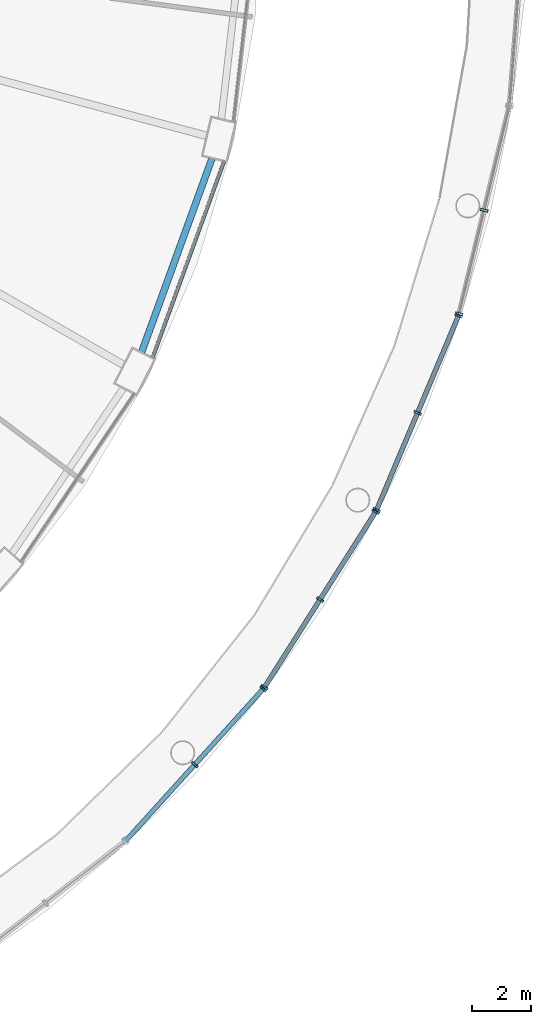
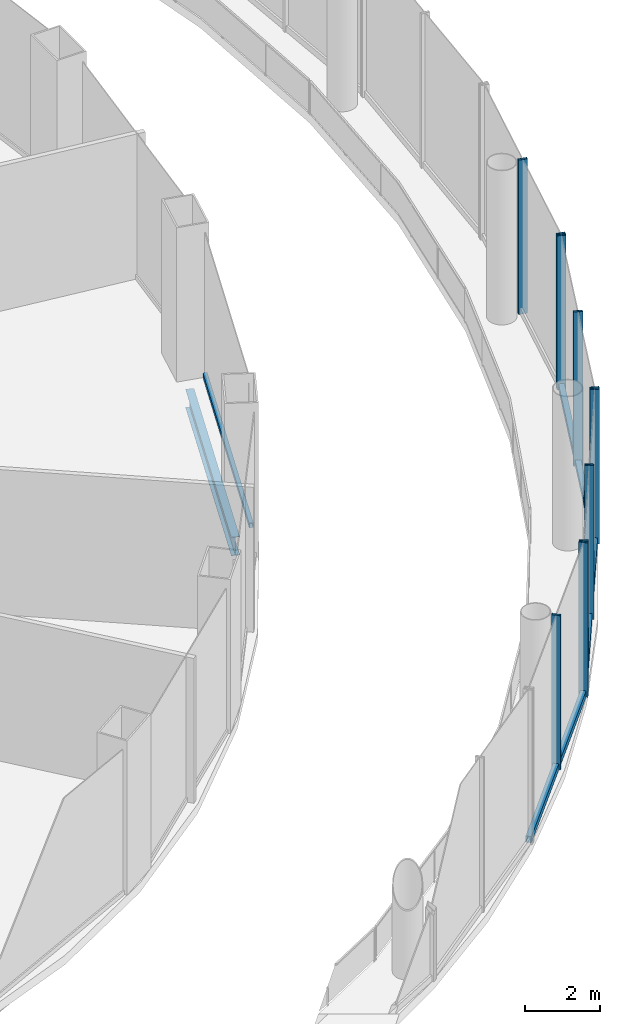
# One storey, part 24 of 48: 14 members, 1 beam, 5 elements without a shape of their own.
"""IFC4 building model written with IfcOpenShell, lengths in metres."""

from ifc_helpers import new_model, si_unit, direction, frame, origin, origin_2d, place, context, subcontext, project, spatial, hollow_rectangle, i_section, extrude, material, layer, layer_set, material_profile, profile_set, type_object, element, aggregate, save


model = new_model("IFC4")

# Units and contexts
model_context = context("Model", 3, precision=1e-05, world=origin(), true_north=direction((0.0, 1.0)))
body_context = subcontext(model_context, "Body", "Model", "MODEL_VIEW")
ifc_project = project(units=[si_unit("LENGTHUNIT", "METRE"), si_unit("AREAUNIT", "SQUARE_METRE"), si_unit("VOLUMEUNIT", "CUBIC_METRE"), si_unit("PLANEANGLEUNIT", "RADIAN"), si_unit("MASSUNIT", "GRAM", prefix="KILO")], contexts=[model_context])

# Site, building, storey
site_placement = place(None, origin())
site = spatial("IfcSite", under=ifc_project, at=site_placement, CompositionType="ELEMENT")
building_placement = place(site_placement, origin())
building = spatial("IfcBuilding", under=site, at=building_placement, Name="Nagisa Residences", CompositionType="ELEMENT")
storey_placement = place(building_placement, frame((0.0, 0.0, 12.0)))
storey = spatial("IfcBuildingStorey", under=building, at=storey_placement, Name="L02", CompositionType="ELEMENT", Elevation=12.0)

# Curtain wall, members
ifc_material_1 = material(Name="Stainless steel curtain wall system", Category="steel")
ifc_layer_1 = layer(ifc_material_1, 0.159912109375)
ifc_layer_set_1 = layer_set([ifc_layer_1], Name="CW3 CURTAIN WALL")
curtain_wall_type_1 = type_object("IfcCurtainWallType", Name="CW3 CURTAIN WALL", PredefinedType="NOTDEFINED", material=ifc_layer_set_1)
curtain_wall_1_placement = place(storey_placement, origin())
curtain_wall_1 = element("IfcCurtainWall", 1, at=curtain_wall_1_placement, inside=storey, type_object=curtain_wall_type_1, Name="cw:CW3:L02:31", PredefinedType="NOTDEFINED")
ifc_material_2 = material(Name="Stainless steel", Category="steel")
ifc_material_profile_1 = material_profile(ifc_material_2, hollow_rectangle(XDim=0.25, YDim=0.080078125, WallThickness=0.008056640625, at=origin_2d()), Name="CW3 MULLION 250x80")
ifc_profile_set_1 = profile_set([ifc_material_profile_1], Name="Stainless steel")
member_type_1 = type_object("IfcMemberType", Name="CW3 MULLION 250x80", PredefinedType="MULLION", material=ifc_profile_set_1)
member_1_placement = place(storey_placement, frame((30.30859375, -29.53173828125, 0.0), z_axis=(0.0, 0.0, 1.0), x_axis=(-0.741535779122, 0.670913323971, 0.0)))
member_1 = element("IfcMember", 2, at=member_1_placement, type_object=member_type_1, Name="CW3 mullion", PredefinedType="MULLION", context=body_context, shape_type="SweptSolid", body=[
    extrude(hollow_rectangle(XDim=0.25, YDim=0.080078125, WallThickness=0.008056640625, at=origin_2d()), origin(), (0.0, 0.0, 1.0), 5.0),
])
member_2_placement = place(storey_placement, frame((32.62353515625, -26.97314453125, 0.0), z_axis=(0.0, 0.0, 1.0), x_axis=(-0.741535779122, 0.670913323971, 0.0)))
member_2 = element("IfcMember", 3, at=member_2_placement, type_object=member_type_1, Name="CW3 mullion", PredefinedType="MULLION", context=body_context, shape_type="SweptSolid", body=[
    extrude(hollow_rectangle(XDim=0.25, YDim=0.080078125, WallThickness=0.008056640625, at=origin_2d()), origin(), (0.0, 0.0, 1.0), 5.0),
])

curtain_wall_2_placement = place(storey_placement, origin())
curtain_wall_2 = element("IfcCurtainWall", 4, at=curtain_wall_2_placement, inside=storey, type_object=curtain_wall_type_1, Name="cw:CW3:L02:32", PredefinedType="NOTDEFINED")
member_3_placement = place(storey_placement, frame((32.66357421875, -26.92041015625, 0.0), z_axis=(0.0, 0.0, 1.0), x_axis=(-0.844747368001, 0.535165286856, 0.0)))
member_3 = element("IfcMember", 5, at=member_3_placement, type_object=member_type_1, Name="CW3 mullion", PredefinedType="MULLION", context=body_context, shape_type="SweptSolid", body=[
    extrude(hollow_rectangle(XDim=0.25, YDim=0.080078125, WallThickness=0.008056640625, at=origin_2d()), origin(), (0.0, 0.0, 1.0), 5.0),
])
member_4_placement = place(storey_placement, frame((34.541748046875, -23.955810546875, 0.0), z_axis=(0.0, 0.0, 1.0), x_axis=(-0.844747368001, 0.535165286856, 0.0)))
member_4 = element("IfcMember", 6, at=member_4_placement, type_object=member_type_1, Name="CW3 mullion", PredefinedType="MULLION", context=body_context, shape_type="SweptSolid", body=[
    extrude(hollow_rectangle(XDim=0.25, YDim=0.080078125, WallThickness=0.008056640625, at=origin_2d()), origin(), (0.0, 0.0, 1.0), 5.0),
])
member_5_placement = place(storey_placement, frame((36.419921875, -20.990966796875, 0.0), z_axis=(0.0, 0.0, 1.0), x_axis=(-0.844747368001, 0.535165286856, 0.0)))
member_5 = element("IfcMember", 7, at=member_5_placement, type_object=member_type_1, Name="CW3 mullion", PredefinedType="MULLION", context=body_context, shape_type="SweptSolid", body=[
    extrude(hollow_rectangle(XDim=0.25, YDim=0.080078125, WallThickness=0.008056640625, at=origin_2d()), origin(), (0.0, 0.0, 1.0), 5.0),
])

curtain_wall_3_placement = place(storey_placement, origin())
curtain_wall_3 = element("IfcCurtainWall", 8, at=curtain_wall_3_placement, inside=storey, type_object=curtain_wall_type_1, Name="cw:CW3:L02:33", PredefinedType="NOTDEFINED")
member_6_placement = place(storey_placement, frame((36.45068359375, -20.93212890625, 0.0), z_axis=(0.0, 0.0, 1.0), x_axis=(-0.921356767819, 0.388718029417, 0.0)))
member_6 = element("IfcMember", 9, at=member_6_placement, type_object=member_type_1, Name="CW3 mullion", PredefinedType="MULLION", context=body_context, shape_type="SweptSolid", body=[
    extrude(hollow_rectangle(XDim=0.25, YDim=0.080078125, WallThickness=0.008056640625, at=origin_2d()), origin(), (0.0, 0.0, 1.0), 5.0),
])
member_7_placement = place(storey_placement, frame((37.8349609375, -17.6513671875, 0.0), z_axis=(0.0, 0.0, 1.0), x_axis=(-0.921356767819, 0.388718029417, 0.0)))
member_7 = element("IfcMember", 10, at=member_7_placement, type_object=member_type_1, Name="CW3 mullion", PredefinedType="MULLION", context=body_context, shape_type="SweptSolid", body=[
    extrude(hollow_rectangle(XDim=0.25, YDim=0.080078125, WallThickness=0.008056640625, at=origin_2d()), origin(), (0.0, 0.0, 1.0), 5.0),
])
member_8_placement = place(storey_placement, frame((39.218994140625, -14.37060546875, 0.0), z_axis=(0.0, 0.0, 1.0), x_axis=(-0.921356767819, 0.388718029417, 0.0)))
member_8 = element("IfcMember", 11, at=member_8_placement, type_object=member_type_1, Name="CW3 mullion", PredefinedType="MULLION", context=body_context, shape_type="SweptSolid", body=[
    extrude(hollow_rectangle(XDim=0.25, YDim=0.080078125, WallThickness=0.008056640625, at=origin_2d()), origin(), (0.0, 0.0, 1.0), 5.0),
])

curtain_wall_4_placement = place(storey_placement, origin())
curtain_wall_4 = element("IfcCurtainWall", 12, at=curtain_wall_4_placement, inside=storey, type_object=curtain_wall_type_1, Name="cw:CW3:L02:34", PredefinedType="NOTDEFINED")
member_9_placement = place(storey_placement, frame((39.239990234375, -14.30712890625, 0.0), z_axis=(0.0, 0.0, 1.0), x_axis=(-0.971848775146, 0.235605514043, 0.0)))
member_9 = element("IfcMember", 13, at=member_9_placement, type_object=member_type_1, Name="CW3 mullion", PredefinedType="MULLION", context=body_context, shape_type="SweptSolid", body=[
    extrude(hollow_rectangle(XDim=0.25, YDim=0.080078125, WallThickness=0.008056640625, at=origin_2d()), origin(), (0.0, 0.0, 1.0), 5.0),
])
member_10_placement = place(storey_placement, frame((40.087646484375, -10.810302734375, 0.0), z_axis=(0.0, 0.0, 1.0), x_axis=(-0.971848775146, 0.235605514043, 0.0)))
member_10 = element("IfcMember", 14, at=member_10_placement, type_object=member_type_1, Name="CW3 mullion", PredefinedType="MULLION", context=body_context, shape_type="SweptSolid", body=[
    extrude(hollow_rectangle(XDim=0.25, YDim=0.080078125, WallThickness=0.008056640625, at=origin_2d()), origin(), (0.0, 0.0, 1.0), 5.0),
])
aggregate(curtain_wall_4, [member_9, member_10])

# Member
ifc_material_3 = material(Name="Stainless steel", Category="steel")
ifc_material_profile_2 = material_profile(ifc_material_3, hollow_rectangle(XDim=0.159912109375, YDim=0.199951171875, WallThickness=0.008056640625, at=origin_2d()), Name="CW3 TRANSOM 160x200")
ifc_profile_set_2 = profile_set([ifc_material_profile_2], Name="Stainless steel")
member_type_2 = type_object("IfcMemberType", Name="CW3 TRANSOM 160x200", PredefinedType="USERDEFINED", material=ifc_profile_set_2)
member_11_placement = place(storey_placement, frame((27.966552734375, -32.1201171875, 0.10009765625), z_axis=(0.670921565259, 0.741528322635, 0.0), x_axis=(-0.741528322635, 0.670921565259, 0.0)))
member_11 = element("IfcMember", 15, at=member_11_placement, type_object=member_type_2, Name="CW3 transom", ObjectType="TRANSOM", PredefinedType="USERDEFINED", context=body_context, shape_type="SweptSolid", body=[
    extrude(hollow_rectangle(XDim=0.159912109375, YDim=0.199951171875, WallThickness=0.008056640625, at=origin_2d()), origin(), (0.0, 0.0, 1.0), 6.981201171875),
])

aggregate(curtain_wall_1, [member_1, member_2, member_11])

member_12_placement = place(storey_placement, frame((32.64208984375, -26.954345703125, 0.10009765625), z_axis=(0.535169889444, 0.844744452147, 0.0), x_axis=(-0.844744452147, 0.535169889444, 0.0)))
member_12 = element("IfcMember", 16, at=member_12_placement, type_object=member_type_2, Name="CW3 transom", ObjectType="TRANSOM", PredefinedType="USERDEFINED", context=body_context, shape_type="SweptSolid", body=[
    extrude(hollow_rectangle(XDim=0.159912109375, YDim=0.199951171875, WallThickness=0.008056640625, at=origin_2d()), origin(), (0.0, 0.0, 1.0), 7.099365234375),
])

aggregate(curtain_wall_2, [member_3, member_4, member_5, member_12])

member_13_placement = place(storey_placement, frame((36.435302734375, -20.968994140625, 0.10009765625), z_axis=(0.388708599467, 0.921360746234, 0.0), x_axis=(-0.921360746234, 0.388708599467, 0.0)))
member_13 = element("IfcMember", 17, at=member_13_placement, type_object=member_type_2, Name="CW3 transom", ObjectType="TRANSOM", PredefinedType="USERDEFINED", context=body_context, shape_type="SweptSolid", body=[
    extrude(hollow_rectangle(XDim=0.159912109375, YDim=0.199951171875, WallThickness=0.008056640625, at=origin_2d()), origin(), (0.0, 0.0, 1.0), 7.20166015625),
])

aggregate(curtain_wall_3, [member_6, member_7, member_8, member_13])

# Curtain wall, member
ifc_material_4 = material(Name="Stainless steel curtain wall system", Category="steel")
ifc_layer_2 = layer(ifc_material_4, 0.159912109375)
ifc_layer_set_2 = layer_set([ifc_layer_2], Name="CW6 CURTAIN WALL")
curtain_wall_type_2 = type_object("IfcCurtainWallType", Name="CW6 CURTAIN WALL", PredefinedType="NOTDEFINED", material=ifc_layer_set_2)
curtain_wall_5_placement = place(storey_placement, origin())
curtain_wall_5 = element("IfcCurtainWall", 18, at=curtain_wall_5_placement, inside=storey, type_object=curtain_wall_type_2, Name="cw:CW6:L02:44", PredefinedType="NOTDEFINED")
ifc_material_5 = material(Name="Stainless steel", Category="steel")
ifc_material_profile_3 = material_profile(ifc_material_5, hollow_rectangle(XDim=0.1201171875, YDim=0.14990234375, WallThickness=0.008056640625, at=origin_2d()), Name="CW6 TRANSOM 120x150")
ifc_profile_set_3 = profile_set([ifc_material_profile_3], Name="Stainless steel")
member_type_3 = type_object("IfcMemberType", Name="CW6 TRANSOM 120x150", PredefinedType="USERDEFINED", material=ifc_profile_set_3)
member_14_placement = place(storey_placement, frame((28.87890625, -15.81494140625, 0.074951171875), z_axis=(0.342039719013, 0.939685495587, 0.0), x_axis=(-0.939685495587, 0.342039719013, 0.0)))
member_14 = element("IfcMember", 19, at=member_14_placement, type_object=member_type_3, Name="CW6 transom", ObjectType="TRANSOM", PredefinedType="USERDEFINED", context=body_context, shape_type="SweptSolid", body=[
    extrude(hollow_rectangle(XDim=0.1201171875, YDim=0.14990234375, WallThickness=0.008056640625, at=origin_2d()), origin(), (0.0, 0.0, 1.0), 7.070068359375),
])
aggregate(curtain_wall_5, [member_14])

# Beam
ifc_material_6 = material(Name="Steel ASTM A572 Gr 50", Category="steel")
ifc_material_profile_4 = material_profile(ifc_material_6, i_section(OverallWidth=0.22802734375, OverallDepth=0.60302734375, WebThickness=0.010498046875, FlangeThickness=0.014892578125, at=origin_2d()), Name="W610x101")
ifc_profile_set_4 = profile_set([ifc_material_profile_4], Name="Steel ASTM A572 Gr 50")
beam_type = type_object("IfcBeamType", Name="Perimeter ring beam W610x101", PredefinedType="BEAM", material=ifc_profile_set_4)
beam_placement = place(storey_placement, frame((28.515625, -15.60595703125, -0.6015625), z_axis=(0.341411143183, 0.939914055279, 0.0), x_axis=(-0.939914055279, 0.341411143183, 0.0)))
element("IfcBeam", 20, at=beam_placement, inside=storey, type_object=beam_type, Name="beam:L02:pb23", PredefinedType="BEAM", context=body_context, shape_type="SweptSolid", body=[
    extrude(i_section(OverallWidth=0.22802734375, OverallDepth=0.60302734375, WebThickness=0.010498046875, FlangeThickness=0.014892578125, at=origin_2d()), origin(), (0.0, 0.0, 1.0), 6.96923828125),
])

save(model, "model.ifc")
